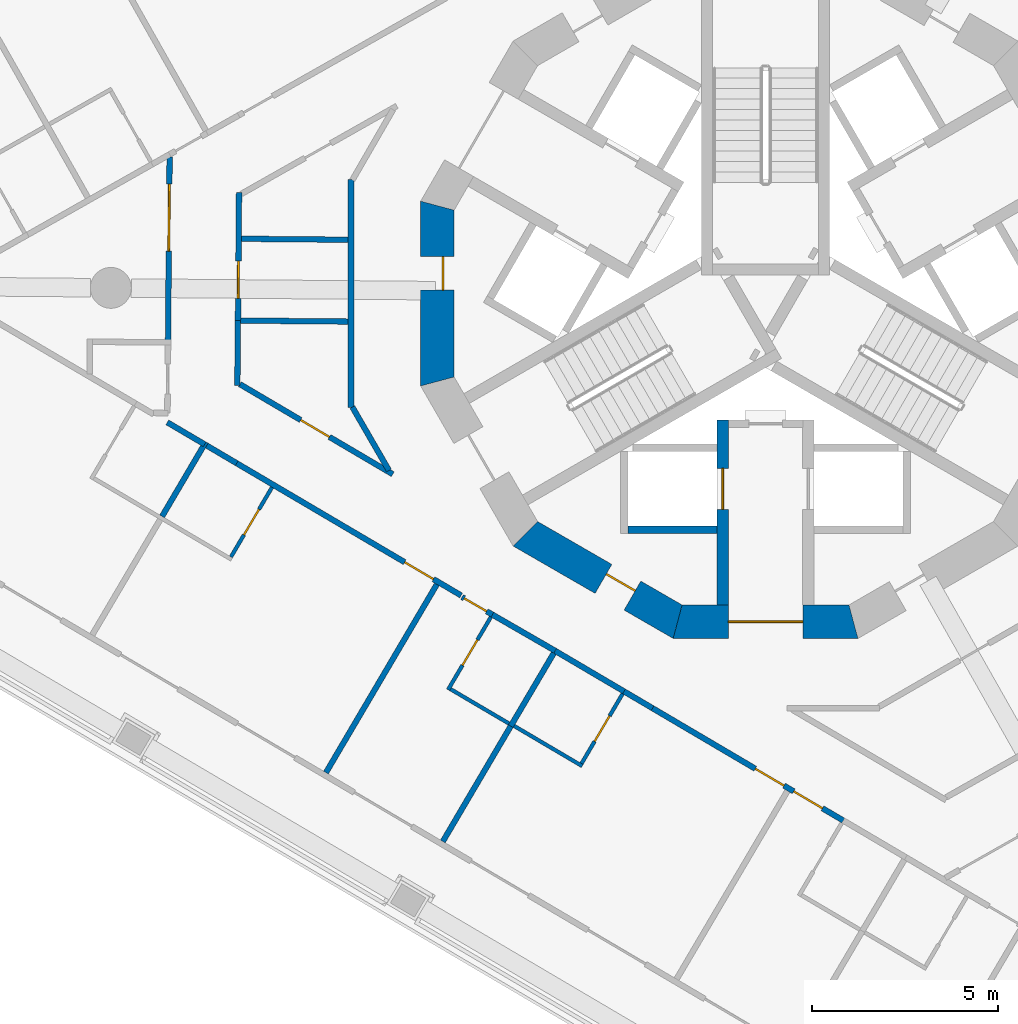
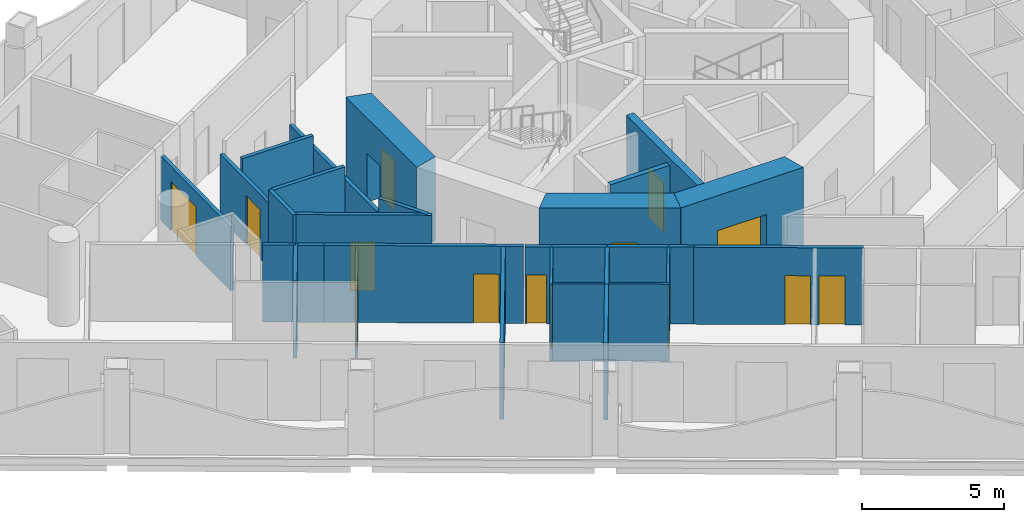
# One storey, part 3 of 17: 30 walls, 14 doors, 14 openings.
"""IFC4 building model written with IfcOpenShell, lengths in metres."""

from ifc_helpers import new_model, si_unit, direction, frame, frame_2d, origin, place, context, subcontext, project, spatial, polyline, rectangle, outline, extrude, material, layer, layer_set, type_object, element, fill, save


model = new_model("IFC4")

# Units and contexts
model_context = context("Model", 3, precision=1e-05, world=origin(), true_north=direction((0.0, 1.0)))
body_context = subcontext(model_context, "Body", "Model", "MODEL_VIEW")
ifc_project = project(units=[si_unit("LENGTHUNIT", "METRE"), si_unit("AREAUNIT", "SQUARE_METRE"), si_unit("VOLUMEUNIT", "CUBIC_METRE"), si_unit("PLANEANGLEUNIT", "RADIAN"), si_unit("MASSUNIT", "GRAM", prefix="KILO")], contexts=[model_context])

# Site, building, storey
site_placement = place(None, origin())
site = spatial("IfcSite", under=ifc_project, at=site_placement, CompositionType="ELEMENT")
building_placement = place(site_placement, origin())
building = spatial("IfcBuilding", under=site, at=building_placement, Name="Trine Commons Tower", CompositionType="ELEMENT")
storey_placement = place(building_placement, frame((0.0, 0.0, 164.699951171875)))
storey = spatial("IfcBuildingStorey", under=building, at=storey_placement, Name="L42", CompositionType="ELEMENT", Elevation=164.699951171875)

# Wall, opening, door
ifc_material_1 = material(Name="Concrete C60/75", Category="concrete")
ifc_layer_1 = layer(ifc_material_1, 0.300048828125)
ifc_layer_set_1 = layer_set([ifc_layer_1], Name="Concrete C60/75")
wall_type_1 = type_object("IfcWallType", Name="RC shear wall 300 mm, C60/75", PredefinedType="SHEAR", material=ifc_layer_set_1)
wall_1_placement = place(storey_placement, frame((78.85009765625, 59.10009765625, 0.0), z_axis=(0.0, 0.0, 1.0), x_axis=(0.0, -1.0, 0.0)))
wall_1 = element("IfcWall", 1, at=wall_1_placement, inside=storey, type_object=wall_type_1, Name="Core cross wall SWB-03 L42", PredefinedType="SHEAR", context=body_context, shape_type="SweptSolid", body=[
    extrude(rectangle(XDim=4.97314453125, YDim=0.300048828125, at=frame_2d((2.486572265625, 0.0))), origin(), (0.0, 0.0, 1.0), 3.60009765625),
])
opening_1_placement = place(wall_1_placement, frame((1.300048828125, 0.0, 0.0)))
opening_1 = element("IfcOpeningElement", 2, at=opening_1_placement, cuts=wall_1, Name="Opening LD10", PredefinedType="OPENING", context=body_context, shape_type="SweptSolid", body=[
    extrude(rectangle(XDim=1.10009765625, YDim=2.10009765625, at=frame_2d((0.550048828125, 1.050048828125))), frame((0.0, 0.159912109375, 0.0), z_axis=(0.0, -1.0, 0.0), x_axis=(1.0, 0.0, 0.0)), (0.0, 0.0, 1.0), 0.320068359375),
])
ifc_material_2 = material(Name="Stainless steel sliding door leaves", Category="steel")
door_type_1 = type_object("IfcDoorType", Name="Lift landing door, centre-opening sliding 1100 x 2100, FD90", OperationType="DOUBLE_DOOR_SLIDING", PredefinedType="DOOR", material=ifc_material_2)
door_1_placement = place(opening_1_placement, origin())
door_1 = element("IfcDoor", 3, at=door_1_placement, inside=storey, type_object=door_type_1, Name="Lift landing door FF2 L42", OperationType="DOUBLE_DOOR_SLIDING", OverallHeight=2.10009765625, OverallWidth=1.10009765625, PredefinedType="DOOR", context=body_context, shape_type="SweptSolid", body=[
    extrude(rectangle(XDim=1.10009765625, YDim=2.10009765625, at=frame_2d((0.550048828125, 1.050048828125))), frame((0.0, 0.02490234375, 0.0), z_axis=(0.0, -1.0, 0.0), x_axis=(1.0, 0.0, 0.0)), (0.0, 0.0, 1.0), 0.050048828125),
])
fill(opening_1, door_1)

ifc_layer_2 = layer(ifc_material_1, 0.89990234375)
ifc_layer_set_2 = layer_set([ifc_layer_2], Name="Concrete C60/75")
wall_type_2 = type_object("IfcWallType", Name="RC shear wall 900 mm, C60/75", PredefinedType="SHEAR", material=ifc_layer_set_2)
wall_2_placement = place(storey_placement, frame((71.177001953125, 64.984619140625, 0.0), z_axis=(0.0, 0.0, 1.0), x_axis=(0.0, -1.0, 0.0)))
wall_2 = element("IfcWall", 4, at=wall_2_placement, inside=storey, type_object=wall_type_2, Name="Core wall CWE-07 L42", PredefinedType="SHEAR", context=body_context, shape_type="SweptSolid", body=[
    extrude(outline(polyline([(0.0, -0.449951171875), (4.969482421875, -0.449951171875), (4.728271484375, 0.449951171875), (0.2412109375, 0.449951171875), (0.0, -0.449951171875)])), origin(), (0.0, 0.0, 1.0), 3.60009765625),
])
opening_2_placement = place(wall_2_placement, frame((1.49365234375, 0.0, 0.0)))
opening_2 = element("IfcOpeningElement", 5, at=opening_2_placement, cuts=wall_2, Name="Opening K09.13", PredefinedType="OPENING", context=body_context, shape_type="SweptSolid", body=[
    extrude(rectangle(XDim=0.89990234375, YDim=2.10009765625, at=frame_2d((0.449951171875, 1.050048828125))), frame((0.0, 0.4599609375, 0.0), z_axis=(0.0, -1.0, 0.0), x_axis=(1.0, 0.0, 0.0)), (0.0, 0.0, 1.0), 0.919921875),
])
ifc_material_3 = material(Name="Steel door leaf, fire-rated", Category="steel")
door_type_2 = type_object("IfcDoorType", Name="Core room door, single leaf 900 x 2100, FD30S", OperationType="SINGLE_SWING_LEFT", PredefinedType="DOOR", material=ifc_material_3)
door_2_placement = place(opening_2_placement, origin())
door_2 = element("IfcDoor", 6, at=door_2_placement, inside=storey, type_object=door_type_2, Name="Door to Parcel store L42", OperationType="SINGLE_SWING_LEFT", OverallHeight=2.10009765625, OverallWidth=0.89990234375, PredefinedType="DOOR", context=body_context, shape_type="SweptSolid", body=[
    extrude(rectangle(XDim=0.89990234375, YDim=2.10009765625, at=frame_2d((0.449951171875, 1.050048828125))), frame((0.0, 0.1748046875, 0.0), z_axis=(0.0, -1.0, 0.0), x_axis=(1.0, 0.0, 0.0)), (0.0, 0.0, 1.0), 0.050048828125),
])
fill(opening_2, door_2)

wall_3_placement = place(storey_placement, frame((73.436767578125, 56.1015625, 0.0), z_axis=(0.0, 0.0, 1.0), x_axis=(0.866003133579, -0.500038571144, 0.0)))
wall_3 = element("IfcWall", 7, at=wall_3_placement, inside=storey, type_object=wall_type_2, Name="Core wall CWE-09 L42", PredefinedType="SHEAR", context=body_context, shape_type="SweptSolid", body=[
    extrude(outline(polyline([(0.0, -0.449951171875), (4.96923828125, -0.449951171875), (4.72802734375, 0.449951171875), (0.2412109375, 0.449951171875), (0.0, -0.449951171875)])), origin(), (0.0, 0.0, 1.0), 3.60009765625),
])
opening_3_placement = place(wall_3_placement, frame((2.5458984375, 0.0, 0.0)))
opening_3 = element("IfcOpeningElement", 8, at=opening_3_placement, cuts=wall_3, Name="Opening K09.14", PredefinedType="OPENING", context=body_context, shape_type="SweptSolid", body=[
    extrude(rectangle(XDim=0.89990234375, YDim=2.10009765625, at=frame_2d((0.449951171875, 1.050048828125))), frame((0.0, 0.4599609375, 0.0), z_axis=(0.0, -1.0, 0.0), x_axis=(1.0, 0.0, 0.0)), (0.0, 0.0, 1.0), 0.919921875),
])
door_3_placement = place(opening_3_placement, origin())
door_3 = element("IfcDoor", 9, at=door_3_placement, inside=storey, type_object=door_type_2, Name="Door to Core WC L42", OperationType="SINGLE_SWING_RIGHT", OverallHeight=2.10009765625, OverallWidth=0.89990234375, PredefinedType="DOOR", context=body_context, shape_type="SweptSolid", body=[
    extrude(rectangle(XDim=0.89990234375, YDim=2.10009765625, at=frame_2d((0.449951171875, 1.050048828125))), frame((0.0, 0.1748046875, 0.0), z_axis=(0.0, -1.0, 0.0), x_axis=(1.0, 0.0, 0.0)), (0.0, 0.0, 1.0), 0.050048828125),
])
fill(opening_3, door_3)

wall_4_placement = place(storey_placement, frame((77.515380859375, 53.677001953125, 0.0), z_axis=(0.0, 0.0, 1.0), x_axis=(1.0, 0.0, 0.0)))
wall_4 = element("IfcWall", 10, at=wall_4_placement, inside=storey, type_object=wall_type_2, Name="Core wall CWE-10 L42", PredefinedType="SHEAR", context=body_context, shape_type="SweptSolid", body=[
    extrude(outline(polyline([(0.0, -0.449951171875), (4.969482421875, -0.449951171875), (4.728271484375, 0.449951171875), (0.2412109375, 0.449951171875), (0.0, -0.449951171875)])), origin(), (0.0, 0.0, 1.0), 3.60009765625),
])
opening_4_placement = place(wall_4_placement, frame((1.484619140625, 0.0, 0.0)))
opening_4 = element("IfcOpeningElement", 11, at=opening_4_placement, cuts=wall_4, Name="Opening K09.08", PredefinedType="OPENING", context=body_context, shape_type="SweptSolid", body=[
    extrude(rectangle(XDim=2.0, YDim=2.10009765625, at=frame_2d((1.0, 1.050048828125))), frame((0.0, 0.4599609375, 0.0), z_axis=(0.0, -1.0, 0.0), x_axis=(1.0, 0.0, 0.0)), (0.0, 0.0, 1.0), 0.919921875),
])
ifc_material_4 = material(Name="Steel door leaves, fire-rated", Category="steel")
door_type_3 = type_object("IfcDoorType", Name="Lobby door, double leaf 2000 x 2100, FD60", OperationType="DOUBLE_DOOR_SINGLE_SWING", PredefinedType="DOOR", material=ifc_material_4)
door_4_placement = place(opening_4_placement, origin())
door_4 = element("IfcDoor", 12, at=door_4_placement, inside=storey, type_object=door_type_3, Name="Lobby door, Service and firefighting lobby L42", OperationType="DOUBLE_DOOR_SINGLE_SWING", OverallHeight=2.10009765625, OverallWidth=2.0, PredefinedType="DOOR", context=body_context, shape_type="SweptSolid", body=[
    extrude(rectangle(XDim=2.0, YDim=2.10009765625, at=frame_2d((1.0, 1.050048828125))), frame((0.0, 0.02490234375, 0.0), z_axis=(0.0, -1.0, 0.0), x_axis=(1.0, 0.0, 0.0)), (0.0, 0.0, 1.0), 0.050048828125),
])
fill(opening_4, door_4)

# Walls
ifc_material_5 = material(Name="Fire-rated gypsum shaft wall system")
ifc_layer_3 = layer(ifc_material_5, 0.199951171875)
ifc_layer_set_3 = layer_set([ifc_layer_3], Name="Fire-rated gypsum shaft wall system")
wall_type_3 = type_object("IfcWallType", Name="Shaft wall 200 mm, EI 120", PredefinedType="PARTITIONING", material=ifc_layer_set_3)
wall_5_placement = place(storey_placement, frame((78.699951171875, 56.14990234375, 0.0), z_axis=(0.0, 0.0, 1.0), x_axis=(-1.0, 0.0, 0.0)))
element("IfcWall", 13, at=wall_5_placement, inside=storey, type_object=wall_type_3, Name="Shaft wall L42", PredefinedType="PARTITIONING", context=body_context, shape_type="SweptSolid", body=[
    extrude(rectangle(XDim=2.39990234375, YDim=0.199951171875, at=frame_2d((1.199951171875, 0.0))), origin(), (0.0, 0.0, 1.0), 3.300048828125),
])
ifc_material_6 = material(Name="Gypsum plasterboard on steel stud", Category="steel")
ifc_layer_4 = layer(ifc_material_6, 0.14990234375)
ifc_layer_set_4 = layer_set([ifc_layer_4], Name="Gypsum plasterboard on steel stud")
wall_type_4 = type_object("IfcWallType", Name="Unit and corridor wall 150 mm, EI 60", PredefinedType="PARTITIONING", material=ifc_layer_set_4)
wall_6_placement = place(storey_placement, frame((63.7724609375, 56.509033203125, 0.0), z_axis=(0.0, 0.0, 1.0), x_axis=(0.507359649966, 0.861734405479, 0.0)))
element("IfcWall", 14, at=wall_6_placement, inside=storey, type_object=wall_type_4, Name="Partition 020", PredefinedType="PARTITIONING", context=body_context, shape_type="SweptSolid", body=[
    extrude(rectangle(XDim=2.3251953125, YDim=0.14990234375, at=frame_2d((1.16259765625, 0.0))), origin(), (0.0, 0.0, 1.0), 3.300048828125),
])
wall_7_placement = place(storey_placement, frame((63.9140625, 59.037109375, 0.0), z_axis=(0.0, 0.0, 1.0), x_axis=(0.861518804546, -0.507725663536, 0.0)))
element("IfcWall", 15, at=wall_7_placement, inside=storey, type_object=wall_type_4, Name="Partition 021", PredefinedType="PARTITIONING", context=body_context, shape_type="SweptSolid", body=[
    extrude(rectangle(XDim=1.1640625, YDim=0.14990234375, at=frame_2d((0.58203125, 0.0))), origin(), (0.0, 0.0, 1.0), 3.300048828125),
])

# Wall, opening, door
wall_8_placement = place(storey_placement, frame((63.931884765625, 61.18310546875, 0.0), z_axis=(0.0, 0.0, 1.0), x_axis=(0.008717466764, 0.999962002165, 0.0)))
wall_8 = element("IfcWall", 16, at=wall_8_placement, inside=storey, type_object=wall_type_4, Name="Partition 023", PredefinedType="PARTITIONING", context=body_context, shape_type="SweptSolid", body=[
    extrude(rectangle(XDim=4.985107421875, YDim=0.14990234375, at=frame_2d((2.49267578125, 0.0))), origin(), (0.0, 0.0, 1.0), 2.75),
])
opening_5_placement = place(wall_8_placement, frame((2.458984375, 0.0, 0.0)))
opening_5 = element("IfcOpeningElement", 17, at=opening_5_placement, cuts=wall_8, Name="Opening D-5A03", PredefinedType="OPENING", context=body_context, shape_type="SweptSolid", body=[
    extrude(rectangle(XDim=1.800048828125, YDim=2.10009765625, at=frame_2d((0.89990234375, 1.050048828125))), frame((0.0, 0.0849609375, 0.0), z_axis=(0.0, -1.0, 0.0), x_axis=(1.0, 0.0, 0.0)), (0.0, 0.0, 1.0), 0.169921875),
])
ifc_material_7 = material(Name="Timber fire door set", Category="wood")
door_type_4 = type_object("IfcDoorType", Name="Cluster entrance door 1800 x 2100, double leaf, FD30S", OperationType="DOUBLE_DOOR_DOUBLE_SWING", PredefinedType="DOOR", material=ifc_material_7)
door_5_placement = place(opening_5_placement, origin())
door_5 = element("IfcDoor", 18, at=door_5_placement, inside=storey, type_object=door_type_4, Name="Door D-5A03", OperationType="DOUBLE_DOOR_DOUBLE_SWING", OverallHeight=2.10009765625, OverallWidth=1.800048828125, PredefinedType="DOOR", context=body_context, shape_type="SweptSolid", body=[
    extrude(rectangle(XDim=1.800048828125, YDim=2.10009765625, at=frame_2d((0.89990234375, 1.050048828125))), frame((0.0, 0.02490234375, 0.0), z_axis=(0.0, -1.0, 0.0), x_axis=(1.0, 0.0, 0.0)), (0.0, 0.0, 1.0), 0.050048828125),
])
fill(opening_5, door_5)

# Wall
wall_9_placement = place(storey_placement, frame((64.9755859375, 58.411865234375, 0.0), z_axis=(0.0, 0.0, 1.0), x_axis=(0.861348284073, -0.508014894982, 0.0)))
element("IfcWall", 19, at=wall_9_placement, inside=storey, type_object=wall_type_4, Name="Partition 025", PredefinedType="PARTITIONING", context=body_context, shape_type="SweptSolid", body=[
    extrude(rectangle(XDim=0.932861328125, YDim=0.14990234375, at=frame_2d((0.46630859375, 0.0))), origin(), (0.0, 0.0, 1.0), 3.300048828125),
])

# Wall, opening, door
wall_10_placement = place(storey_placement, frame((65.779052734375, 57.93798828125, 0.0), z_axis=(0.0, 0.0, 1.0), x_axis=(0.861623120435, -0.507548616718, 0.0)))
wall_10 = element("IfcWall", 20, at=wall_10_placement, inside=storey, type_object=wall_type_4, Name="Partition 028", PredefinedType="PARTITIONING", context=body_context, shape_type="SweptSolid", body=[
    extrude(rectangle(XDim=7.004150390625, YDim=0.14990234375, at=frame_2d((3.501953125, 0.0))), origin(), (0.0, 0.0, 1.0), 3.300048828125),
])
opening_6_placement = place(wall_10_placement, frame((5.240478515625, 0.0, 0.0)))
opening_6 = element("IfcOpeningElement", 21, at=opening_6_placement, cuts=wall_10, Name="Opening D-5A24", PredefinedType="OPENING", context=body_context, shape_type="SweptSolid", body=[
    extrude(rectangle(XDim=0.89990234375, YDim=2.10009765625, at=frame_2d((0.449951171875, 1.050048828125))), frame((0.0, 0.0849609375, 0.0), z_axis=(0.0, -1.0, 0.0), x_axis=(1.0, 0.0, 0.0)), (0.0, 0.0, 1.0), 0.169921875),
])
door_type_5 = type_object("IfcDoorType", Name="Bedroom door 900 x 2100, FD30S", OperationType="NOTDEFINED", PredefinedType="DOOR", material=ifc_material_7)
door_6_placement = place(opening_6_placement, frame((0.89990234375, 0.0, 0.0), z_axis=(0.0, 0.0, 1.0), x_axis=(-1.0, 0.0, 0.0)))
door_6 = element("IfcDoor", 22, at=door_6_placement, inside=storey, type_object=door_type_5, Name="Door D-5A24", OperationType="SINGLE_SWING_LEFT", OverallHeight=2.10009765625, OverallWidth=0.89990234375, PredefinedType="DOOR", context=body_context, shape_type="SweptSolid", body=[
    extrude(rectangle(XDim=0.89990234375, YDim=2.10009765625, at=frame_2d((0.449951171875, 1.050048828125))), frame((0.0, 0.02490234375, 0.0), z_axis=(0.0, -1.0, 0.0), x_axis=(1.0, 0.0, 0.0)), (0.0, 0.0, 1.0), 0.050048828125),
])
fill(opening_6, door_6)

# Wall
wall_11_placement = place(storey_placement, frame((65.79736328125, 60.028076171875, 0.0), z_axis=(0.0, 0.0, 1.0), x_axis=(0.00892821556, 0.999960142689, 0.0)))
element("IfcWall", 23, at=wall_11_placement, inside=storey, type_object=wall_type_4, Name="Partition 029", PredefinedType="PARTITIONING", context=body_context, shape_type="SweptSolid", body=[
    extrude(rectangle(XDim=1.75, YDim=0.14990234375, at=frame_2d((0.875, 0.0))), origin(), (0.0, 0.0, 1.0), 3.300048828125),
])

# Wall, opening, door
wall_12_placement = place(storey_placement, frame((65.862548828125, 60.06494140625, 0.0), z_axis=(0.0, 0.0, 1.0), x_axis=(0.861635540959, -0.507527530835, 0.0)))
wall_12 = element("IfcWall", 24, at=wall_12_placement, inside=storey, type_object=wall_type_4, Name="Partition 030", PredefinedType="PARTITIONING", context=body_context, shape_type="SweptSolid", body=[
    extrude(rectangle(XDim=4.7724609375, YDim=0.14990234375, at=frame_2d((2.38623046875, 0.0))), origin(), (0.0, 0.0, 1.0), 3.300048828125),
])
opening_7_placement = place(wall_12_placement, frame((1.898681640625, 0.0, 0.0)))
opening_7 = element("IfcOpeningElement", 25, at=opening_7_placement, cuts=wall_12, Name="Opening D-5A28", PredefinedType="OPENING", context=body_context, shape_type="SweptSolid", body=[
    extrude(rectangle(XDim=0.89990234375, YDim=2.10009765625, at=frame_2d((0.449951171875, 1.050048828125))), frame((0.0, 0.0849609375, 0.0), z_axis=(0.0, -1.0, 0.0), x_axis=(1.0, 0.0, 0.0)), (0.0, 0.0, 1.0), 0.169921875),
])
door_type_6 = type_object("IfcDoorType", Name="Service door 900 x 2100, FD30S", OperationType="NOTDEFINED", PredefinedType="DOOR", material=ifc_material_7)
door_7_placement = place(opening_7_placement, origin())
door_7 = element("IfcDoor", 26, at=door_7_placement, inside=storey, type_object=door_type_6, Name="Door D-5A28", OperationType="SINGLE_SWING_LEFT", OverallHeight=2.10009765625, OverallWidth=0.89990234375, PredefinedType="DOOR", context=body_context, shape_type="SweptSolid", body=[
    extrude(rectangle(XDim=0.89990234375, YDim=2.10009765625, at=frame_2d((0.449951171875, 1.050048828125))), frame((0.0, 0.02490234375, 0.0), z_axis=(0.0, -1.0, 0.0), x_axis=(1.0, 0.0, 0.0)), (0.0, 0.0, 1.0), 0.050048828125),
])
fill(opening_7, door_7)

wall_13_placement = place(storey_placement, frame((65.8125, 61.695068359375, 0.0), z_axis=(0.0, 0.0, 1.0), x_axis=(0.008521236962, 0.999963693601, 0.0)))
wall_13 = element("IfcWall", 27, at=wall_13_placement, inside=storey, type_object=wall_type_4, Name="Partition 031", PredefinedType="PARTITIONING", context=body_context, shape_type="SweptSolid", body=[
    extrude(rectangle(XDim=3.524169921875, YDim=0.14990234375, at=frame_2d((1.76220703125, 0.0))), origin(), (0.0, 0.0, 1.0), 2.75),
])
opening_8_placement = place(wall_13_placement, frame((0.678955078125, 0.0, 0.0)))
opening_8 = element("IfcOpeningElement", 28, at=opening_8_placement, cuts=wall_13, Name="Opening D-5A30", PredefinedType="OPENING", context=body_context, shape_type="SweptSolid", body=[
    extrude(rectangle(XDim=1.0, YDim=2.10009765625, at=frame_2d((0.5, 1.050048828125))), frame((0.0, 0.0849609375, 0.0), z_axis=(0.0, -1.0, 0.0), x_axis=(1.0, 0.0, 0.0)), (0.0, 0.0, 1.0), 0.169921875),
])
ifc_material_8 = material(Name="Painted timber", Category="wood")
door_type_7 = type_object("IfcDoorType", Name="Toilet door 1000 x 2100, NOT RATED", OperationType="NOTDEFINED", PredefinedType="DOOR", material=ifc_material_8)
door_8_placement = place(opening_8_placement, frame((1.0, 0.0, 0.0), z_axis=(0.0, 0.0, 1.0), x_axis=(-1.0, 0.0, 0.0)))
door_8 = element("IfcDoor", 29, at=door_8_placement, inside=storey, type_object=door_type_7, Name="Door D-5A30", OperationType="SINGLE_SWING_RIGHT", OverallHeight=2.10009765625, OverallWidth=1.0, PredefinedType="DOOR", context=body_context, shape_type="SweptSolid", body=[
    extrude(rectangle(XDim=1.0, YDim=2.10009765625, at=frame_2d((0.5, 1.050048828125))), frame((0.0, 0.02490234375, 0.0), z_axis=(0.0, -1.0, 0.0), x_axis=(1.0, 0.0, 0.0)), (0.0, 0.0, 1.0), 0.050048828125),
])
fill(opening_8, door_8)

# Walls
wall_14_placement = place(storey_placement, frame((65.887939453125, 61.773193359375, 0.0), z_axis=(0.0, 0.0, 1.0), x_axis=(0.999961385679, -0.008787897931, 0.0)))
element("IfcWall", 30, at=wall_14_placement, inside=storey, type_object=wall_type_4, Name="Partition 032", PredefinedType="PARTITIONING", context=body_context, shape_type="SweptSolid", body=[
    extrude(rectangle(XDim=2.88916015625, YDim=0.14990234375, at=frame_2d((1.444580078125, 0.0))), origin(), (0.0, 0.0, 1.0), 3.300048828125),
])
wall_15_placement = place(storey_placement, frame((65.906982421875, 63.973388671875, 0.0), z_axis=(0.0, 0.0, 1.0), x_axis=(0.999960115563, -0.008931253159, 0.0)))
element("IfcWall", 31, at=wall_15_placement, inside=storey, type_object=wall_type_4, Name="Partition 034", PredefinedType="PARTITIONING", context=body_context, shape_type="SweptSolid", body=[
    extrude(rectangle(XDim=2.8701171875, YDim=0.14990234375, at=frame_2d((1.43505859375, 0.0))), origin(), (0.0, 0.0, 1.0), 3.300048828125),
])
wall_16_placement = place(storey_placement, frame((68.17919921875, 49.619384765625, 0.0), z_axis=(0.0, 0.0, 1.0), x_axis=(0.507603061138, 0.861591047031, 0.0)))
element("IfcWall", 32, at=wall_16_placement, inside=storey, type_object=wall_type_4, Name="Partition 036", PredefinedType="PARTITIONING", context=body_context, shape_type="SweptSolid", body=[
    extrude(rectangle(XDim=5.8740234375, YDim=0.14990234375, at=frame_2d((2.93701171875, 0.0))), origin(), (0.0, 0.0, 1.0), 3.300048828125),
])
wall_17_placement = place(storey_placement, frame((68.85205078125, 59.43798828125, 0.0), z_axis=(0.0, 0.0, 1.0), x_axis=(0.0, 1.0, 0.0)))
element("IfcWall", 33, at=wall_17_placement, inside=storey, type_object=wall_type_4, Name="Partition 037", PredefinedType="PARTITIONING", context=body_context, shape_type="SweptSolid", body=[
    extrude(rectangle(XDim=6.1240234375, YDim=0.14990234375, at=frame_2d((3.06201171875, 0.0))), origin(), (0.0, 0.0, 1.0), 2.75),
])
wall_18_placement = place(storey_placement, frame((68.889404296875, 59.447998046875, 0.0), z_axis=(0.0, 0.0, 1.0), x_axis=(0.500259007655, -0.865875813994, 0.0)))
element("IfcWall", 34, at=wall_18_placement, inside=storey, type_object=wall_type_4, Name="Partition 038", PredefinedType="PARTITIONING", context=body_context, shape_type="SweptSolid", body=[
    extrude(rectangle(XDim=1.96923828125, YDim=0.14990234375, at=frame_2d((0.984619140625, 0.0))), origin(), (0.0, 0.0, 1.0), 3.300048828125),
])
wall_19_placement = place(storey_placement, frame((71.322265625, 47.7685546875, 0.0), z_axis=(0.0, 0.0, 1.0), x_axis=(0.507419363551, 0.861699245383, 0.0)))
element("IfcWall", 35, at=wall_19_placement, inside=storey, type_object=wall_type_4, Name="Partition 040", PredefinedType="PARTITIONING", context=body_context, shape_type="SweptSolid", body=[
    extrude(rectangle(XDim=3.6875, YDim=0.14990234375, at=frame_2d((1.84375, 0.0))), origin(), (0.0, 0.0, 1.0), 3.300048828125),
])

# Wall, opening, door
wall_20_placement = place(storey_placement, frame((71.839111328125, 54.339111328125, 0.0), z_axis=(0.0, 0.0, 1.0), x_axis=(0.865780375256, -0.500424161908, 0.0)))
wall_20 = element("IfcWall", 36, at=wall_20_placement, inside=storey, type_object=wall_type_4, Name="Partition 046", PredefinedType="PARTITIONING", context=body_context, shape_type="SweptSolid", body=[
    extrude(rectangle(XDim=0.943603515625, YDim=0.14990234375, at=frame_2d((0.4716796875, 0.0))), origin(), (0.0, 0.0, 1.0), 3.300048828125),
])
opening_9_placement = place(wall_20_placement, frame((0.06396484375, 0.0, 0.0)))
opening_9 = element("IfcOpeningElement", 37, at=opening_9_placement, cuts=wall_20, Name="Opening D-5A23", PredefinedType="OPENING", context=body_context, shape_type="SweptSolid", body=[
    extrude(rectangle(XDim=0.699951171875, YDim=2.10009765625, at=frame_2d((0.35009765625, 1.050048828125))), frame((0.0, 0.0849609375, 0.0), z_axis=(0.0, -1.0, 0.0), x_axis=(1.0, 0.0, 0.0)), (0.0, 0.0, 1.0), 0.169921875),
])
door_type_8 = type_object("IfcDoorType", Name="Bedroom door 700 x 2100, FD30S", OperationType="NOTDEFINED", PredefinedType="DOOR", material=ifc_material_7)
door_9_placement = place(opening_9_placement, frame((0.699951171875, 0.0, 0.0), z_axis=(0.0, 0.0, 1.0), x_axis=(-1.0, 0.0, 0.0)))
door_9 = element("IfcDoor", 38, at=door_9_placement, inside=storey, type_object=door_type_8, Name="Door D-5A23", OperationType="SINGLE_SWING_RIGHT", OverallHeight=2.10009765625, OverallWidth=0.699951171875, PredefinedType="DOOR", context=body_context, shape_type="SweptSolid", body=[
    extrude(rectangle(XDim=0.699951171875, YDim=2.10009765625, at=frame_2d((0.35009765625, 1.050048828125))), frame((0.0, 0.02490234375, 0.0), z_axis=(0.0, -1.0, 0.0), x_axis=(1.0, 0.0, 0.0)), (0.0, 0.0, 1.0), 0.050048828125),
])
fill(opening_9, door_9)

# Walls
wall_21_placement = place(storey_placement, frame((72.606689453125, 53.89599609375, 0.0), z_axis=(0.0, 0.0, 1.0), x_axis=(0.866136921896, -0.4998067952, 0.0)))
element("IfcWall", 39, at=wall_21_placement, inside=storey, type_object=wall_type_4, Name="Partition 049", PredefinedType="PARTITIONING", context=body_context, shape_type="SweptSolid", body=[
    extrude(rectangle(XDim=2.004638671875, YDim=0.14990234375, at=frame_2d((1.00244140625, 0.0))), origin(), (0.0, 0.0, 1.0), 3.300048828125),
])
wall_22_placement = place(storey_placement, frame((73.148681640625, 50.869873046875, 0.0), z_axis=(0.0, 0.0, 1.0), x_axis=(0.507882922516, 0.861426106533, 0.0)))
element("IfcWall", 40, at=wall_22_placement, inside=storey, type_object=wall_type_4, Name="Partition 050", PredefinedType="PARTITIONING", context=body_context, shape_type="SweptSolid", body=[
    extrude(rectangle(XDim=2.274658203125, YDim=0.14990234375, at=frame_2d((1.13720703125, 0.0))), origin(), (0.0, 0.0, 1.0), 3.300048828125),
])
wall_23_placement = place(storey_placement, frame((74.343017578125, 52.89306640625, 0.0), z_axis=(0.0, 0.0, 1.0), x_axis=(0.861685778752, -0.507442231882, 0.0)))
element("IfcWall", 41, at=wall_23_placement, inside=storey, type_object=wall_type_4, Name="Partition 053", PredefinedType="PARTITIONING", context=body_context, shape_type="SweptSolid", body=[
    extrude(rectangle(XDim=2.148193359375, YDim=0.14990234375, at=frame_2d((1.07421875, 0.0))), origin(), (0.0, 0.0, 1.0), 3.300048828125),
])
wall_24_placement = place(storey_placement, frame((76.194091796875, 51.802978515625, 0.0), z_axis=(0.0, 0.0, 1.0), x_axis=(0.861814436452, -0.507223695349, 0.0)))
element("IfcWall", 42, at=wall_24_placement, inside=storey, type_object=wall_type_4, Name="Partition 057", PredefinedType="PARTITIONING", context=body_context, shape_type="SweptSolid", body=[
    extrude(rectangle(XDim=0.890869140625, YDim=0.14990234375, at=frame_2d((0.4453125, 0.0))), origin(), (0.0, 0.0, 1.0), 3.300048828125),
])

# Wall, openings, doors
wall_25_placement = place(storey_placement, frame((76.9599609375, 51.35205078125, 0.0), z_axis=(0.0, 0.0, 1.0), x_axis=(0.861634811964, -0.507528768457, 0.0)))
wall_25 = element("IfcWall", 43, at=wall_25_placement, inside=storey, type_object=wall_type_4, Name="Partition 059", PredefinedType="PARTITIONING", context=body_context, shape_type="SweptSolid", body=[
    extrude(rectangle(XDim=5.956298828125, YDim=0.14990234375, at=frame_2d((2.97802734375, 0.0))), origin(), (0.0, 0.0, 1.0), 3.300048828125),
])
opening_10_placement = place(wall_25_placement, frame((4.406005859375, 0.0, 0.0)))
opening_10 = element("IfcOpeningElement", 44, at=opening_10_placement, cuts=wall_25, Name="Opening D-5A21", PredefinedType="OPENING", context=body_context, shape_type="SweptSolid", body=[
    extrude(rectangle(XDim=0.89990234375, YDim=2.10009765625, at=frame_2d((0.449951171875, 1.050048828125))), frame((0.0, 0.0849609375, 0.0), z_axis=(0.0, -1.0, 0.0), x_axis=(1.0, 0.0, 0.0)), (0.0, 0.0, 1.0), 0.169921875),
])
opening_11_placement = place(wall_25_placement, frame((3.205810546875, 0.0, 0.0)))
opening_11 = element("IfcOpeningElement", 45, at=opening_11_placement, cuts=wall_25, Name="Opening D-5A22", PredefinedType="OPENING", context=body_context, shape_type="SweptSolid", body=[
    extrude(rectangle(XDim=0.89990234375, YDim=2.10009765625, at=frame_2d((0.449951171875, 1.050048828125))), frame((0.0, 0.0849609375, 0.0), z_axis=(0.0, -1.0, 0.0), x_axis=(1.0, 0.0, 0.0)), (0.0, 0.0, 1.0), 0.169921875),
])
door_10_placement = place(opening_10_placement, frame((0.89990234375, 0.0, 0.0), z_axis=(0.0, 0.0, 1.0), x_axis=(-1.0, 0.0, 0.0)))
door_10 = element("IfcDoor", 46, at=door_10_placement, inside=storey, type_object=door_type_5, Name="Door D-5A21", OperationType="SINGLE_SWING_LEFT", OverallHeight=2.10009765625, OverallWidth=0.89990234375, PredefinedType="DOOR", context=body_context, shape_type="SweptSolid", body=[
    extrude(rectangle(XDim=0.89990234375, YDim=2.10009765625, at=frame_2d((0.449951171875, 1.050048828125))), frame((0.0, 0.02490234375, 0.0), z_axis=(0.0, -1.0, 0.0), x_axis=(1.0, 0.0, 0.0)), (0.0, 0.0, 1.0), 0.050048828125),
])
fill(opening_10, door_10)
door_11_placement = place(opening_11_placement, frame((0.89990234375, 0.0, 0.0), z_axis=(0.0, 0.0, 1.0), x_axis=(-1.0, 0.0, 0.0)))
door_11 = element("IfcDoor", 47, at=door_11_placement, inside=storey, type_object=door_type_5, Name="Door D-5A22", OperationType="SINGLE_SWING_LEFT", OverallHeight=2.10009765625, OverallWidth=0.89990234375, PredefinedType="DOOR", context=body_context, shape_type="SweptSolid", body=[
    extrude(rectangle(XDim=0.89990234375, YDim=2.10009765625, at=frame_2d((0.449951171875, 1.050048828125))), frame((0.0, 0.02490234375, 0.0), z_axis=(0.0, -1.0, 0.0), x_axis=(1.0, 0.0, 0.0)), (0.0, 0.0, 1.0), 0.050048828125),
])
fill(opening_11, door_11)

# Wall, opening, door
ifc_layer_5 = layer(ifc_material_6, 0.10009765625)
ifc_layer_set_5 = layer_set([ifc_layer_5], Name="Gypsum plasterboard on steel stud")
wall_type_5 = type_object("IfcWallType", Name="Unit partition 100 mm, no rating", PredefinedType="PARTITIONING", material=ifc_layer_set_5)
wall_26_placement = place(storey_placement, frame((65.62451171875, 55.418212890625, 0.0), z_axis=(0.0, 0.0, 1.0), x_axis=(0.507893177668, 0.861420060179, 0.0)))
wall_26 = element("IfcWall", 48, at=wall_26_placement, inside=storey, type_object=wall_type_5, Name="Partition 027", PredefinedType="PARTITIONING", context=body_context, shape_type="SweptSolid", body=[
    extrude(rectangle(XDim=2.174560546875, YDim=0.10009765625, at=frame_2d((1.08740234375, 0.0))), origin(), (0.0, 0.0, 1.0), 3.300048828125),
])
opening_12_placement = place(wall_26_placement, frame((0.687255859375, 0.0, 0.0)))
opening_12 = element("IfcOpeningElement", 49, at=opening_12_placement, cuts=wall_26, Name="Opening D-5A49", PredefinedType="OPENING", context=body_context, shape_type="SweptSolid", body=[
    extrude(rectangle(XDim=0.800048828125, YDim=2.10009765625, at=frame_2d((0.39990234375, 1.050048828125))), frame((0.0, 0.06005859375, 0.0), z_axis=(0.0, -1.0, 0.0), x_axis=(1.0, 0.0, 0.0)), (0.0, 0.0, 1.0), 0.1201171875),
])
door_type_9 = type_object("IfcDoorType", Name="Internal door 800 x 2100, NOT RATED", OperationType="NOTDEFINED", PredefinedType="DOOR", material=ifc_material_8)
door_12_placement = place(opening_12_placement, frame((0.800048828125, 0.0, 0.0), z_axis=(0.0, 0.0, 1.0), x_axis=(-1.0, 0.0, 0.0)))
door_12 = element("IfcDoor", 50, at=door_12_placement, inside=storey, type_object=door_type_9, Name="Door D-5A49", OperationType="SINGLE_SWING_RIGHT", OverallHeight=2.10009765625, OverallWidth=0.800048828125, PredefinedType="DOOR", context=body_context, shape_type="SweptSolid", body=[
    extrude(rectangle(XDim=0.800048828125, YDim=2.10009765625, at=frame_2d((0.39990234375, 1.050048828125))), frame((0.0, 0.02490234375, 0.0), z_axis=(0.0, -1.0, 0.0), x_axis=(1.0, 0.0, 0.0)), (0.0, 0.0, 1.0), 0.050048828125),
])
fill(opening_12, door_12)

wall_27_placement = place(storey_placement, frame((71.461669921875, 51.845947265625, 0.0), z_axis=(0.0, 0.0, 1.0), x_axis=(0.507433164297, 0.861691118541, 0.0)))
wall_27 = element("IfcWall", 51, at=wall_27_placement, inside=storey, type_object=wall_type_5, Name="Partition 041", PredefinedType="PARTITIONING", context=body_context, shape_type="SweptSolid", body=[
    extrude(rectangle(XDim=2.27294921875, YDim=0.10009765625, at=frame_2d((1.136474609375, 0.0))), origin(), (0.0, 0.0, 1.0), 3.300048828125),
])
opening_13_placement = place(wall_27_placement, frame((0.761474609375, 0.0, 0.0)))
opening_13 = element("IfcOpeningElement", 52, at=opening_13_placement, cuts=wall_27, Name="Opening D-5A48", PredefinedType="OPENING", context=body_context, shape_type="SweptSolid", body=[
    extrude(rectangle(XDim=0.800048828125, YDim=2.10009765625, at=frame_2d((0.39990234375, 1.050048828125))), frame((0.0, 0.06005859375, 0.0), z_axis=(0.0, -1.0, 0.0), x_axis=(1.0, 0.0, 0.0)), (0.0, 0.0, 1.0), 0.1201171875),
])
door_13_placement = place(opening_13_placement, origin())
door_13 = element("IfcDoor", 53, at=door_13_placement, inside=storey, type_object=door_type_9, Name="Door D-5A48", OperationType="SINGLE_SWING_RIGHT", OverallHeight=2.10009765625, OverallWidth=0.800048828125, PredefinedType="DOOR", context=body_context, shape_type="SweptSolid", body=[
    extrude(rectangle(XDim=0.800048828125, YDim=2.10009765625, at=frame_2d((0.39990234375, 1.050048828125))), frame((0.0, 0.02490234375, 0.0), z_axis=(0.0, -1.0, 0.0), x_axis=(1.0, 0.0, 0.0)), (0.0, 0.0, 1.0), 0.050048828125),
])
fill(opening_13, door_13)

# Walls
wall_28_placement = place(storey_placement, frame((71.530029296875, 51.863525390625, 0.0), z_axis=(0.0, 0.0, 1.0), x_axis=(0.861772491813, -0.507294955972, 0.0)))
element("IfcWall", 54, at=wall_28_placement, inside=storey, type_object=wall_type_5, Name="Partition 042", PredefinedType="PARTITIONING", context=body_context, shape_type="SweptSolid", body=[
    extrude(rectangle(XDim=1.824462890625, YDim=0.10009765625, at=frame_2d((0.912109375, 0.0))), origin(), (0.0, 0.0, 1.0), 3.300048828125),
])
wall_29_placement = place(storey_placement, frame((73.238525390625, 50.875, 0.0), z_axis=(0.0, 0.0, 1.0), x_axis=(0.861529491654, -0.507707529006, 0.0)))
element("IfcWall", 55, at=wall_29_placement, inside=storey, type_object=wall_type_5, Name="Partition 051", PredefinedType="PARTITIONING", context=body_context, shape_type="SweptSolid", body=[
    extrude(rectangle(XDim=2.1259765625, YDim=0.10009765625, at=frame_2d((1.06298828125, 0.0))), origin(), (0.0, 0.0, 1.0), 3.300048828125),
])

# Wall, opening, door
wall_30_placement = place(storey_placement, frame((75.052490234375, 49.864013671875, 0.0), z_axis=(0.0, 0.0, 1.0), x_axis=(0.507363468798, 0.861732157071, 0.0)))
wall_30 = element("IfcWall", 56, at=wall_30_placement, inside=storey, type_object=wall_type_5, Name="Partition 055", PredefinedType="PARTITIONING", context=body_context, shape_type="SweptSolid", body=[
    extrude(rectangle(XDim=2.175048828125, YDim=0.10009765625, at=frame_2d((1.08740234375, 0.0))), origin(), (0.0, 0.0, 1.0), 3.300048828125),
])
opening_14_placement = place(wall_30_placement, frame((0.6875, 0.0, 0.0)))
opening_14 = element("IfcOpeningElement", 57, at=opening_14_placement, cuts=wall_30, Name="Opening D-5A47", PredefinedType="OPENING", context=body_context, shape_type="SweptSolid", body=[
    extrude(rectangle(XDim=0.800048828125, YDim=2.10009765625, at=frame_2d((0.39990234375, 1.050048828125))), frame((0.0, 0.06005859375, 0.0), z_axis=(0.0, -1.0, 0.0), x_axis=(1.0, 0.0, 0.0)), (0.0, 0.0, 1.0), 0.1201171875),
])
door_14_placement = place(opening_14_placement, frame((0.800048828125, 0.0, 0.0), z_axis=(0.0, 0.0, 1.0), x_axis=(-1.0, 0.0, 0.0)))
door_14 = element("IfcDoor", 58, at=door_14_placement, inside=storey, type_object=door_type_9, Name="Door D-5A47", OperationType="SINGLE_SWING_RIGHT", OverallHeight=2.10009765625, OverallWidth=0.800048828125, PredefinedType="DOOR", context=body_context, shape_type="SweptSolid", body=[
    extrude(rectangle(XDim=0.800048828125, YDim=2.10009765625, at=frame_2d((0.39990234375, 1.050048828125))), frame((0.0, 0.02490234375, 0.0), z_axis=(0.0, -1.0, 0.0), x_axis=(1.0, 0.0, 0.0)), (0.0, 0.0, 1.0), 0.050048828125),
])
fill(opening_14, door_14)

save(model, "model.ifc")
